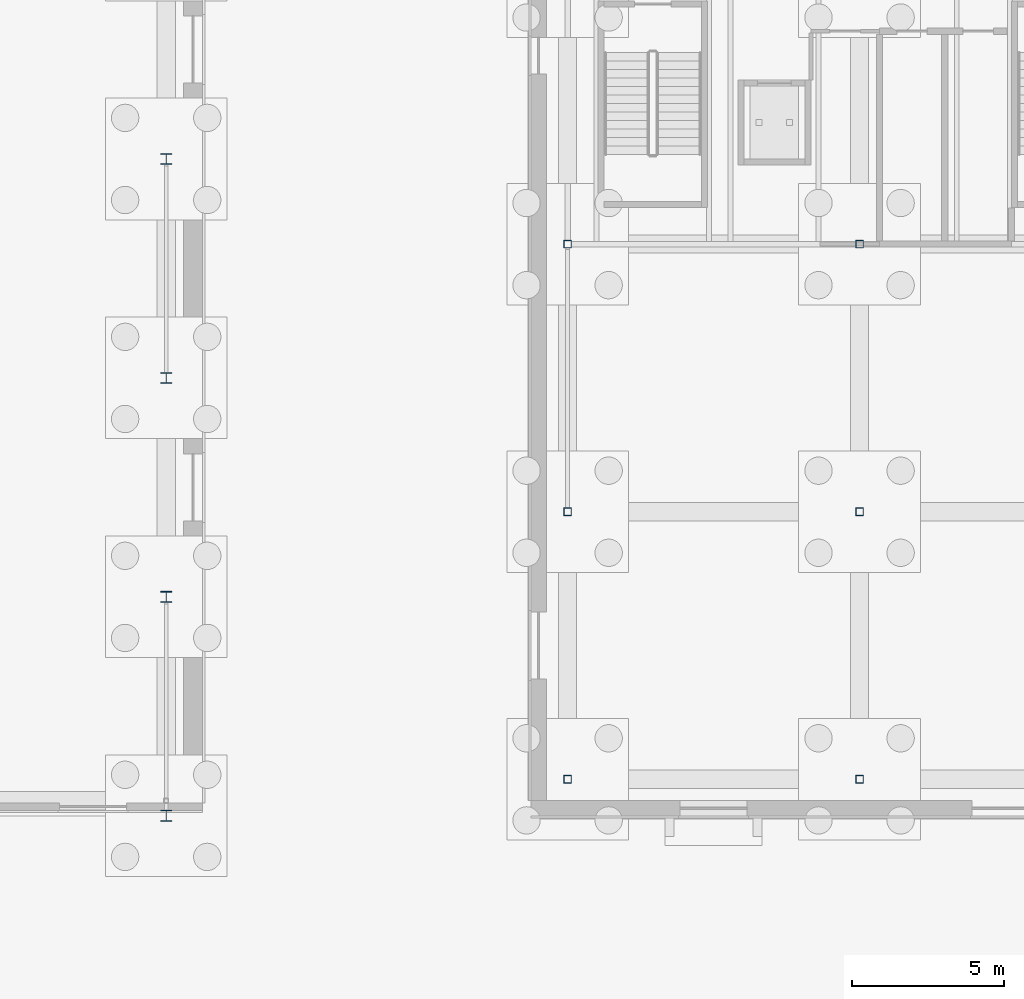
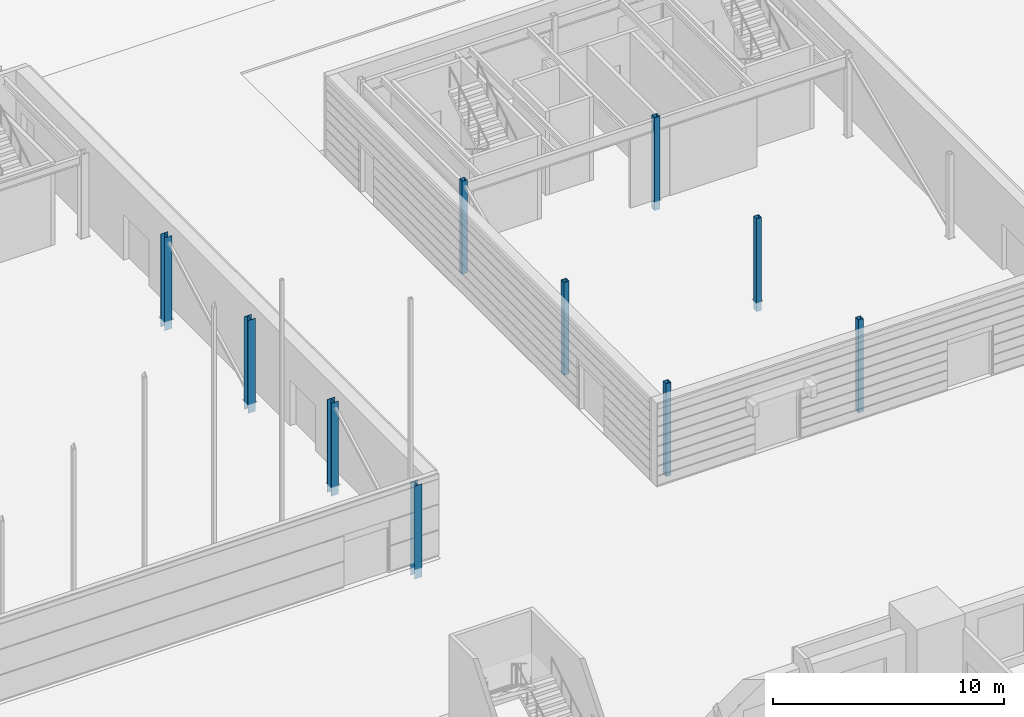
# One storey, part 17 of 139: 10 columns.
"""IFC4 building model written with IfcOpenShell, lengths in metres."""

import ifcopenshell
import ifcopenshell.guid

model = None  # the IFC model being written
_history = None  # IfcOwnerHistory: only IFC2X3 demands one
_inside = {}  # id of a spatial element -> (the spatial element, [elements in it])
_under = {}  # id of a project, library or spatial element -> (it, [spatial elements below it])
_declared = {}  # id of a project -> (the project, [libraries it declares])
_typed = {}  # id of a type object -> (the type object, [elements of that type])
_made_of = {}  # id of a material, layer set ... -> (it, [elements and type objects made of it])


def new_model(schema):
    """Start an empty IFC model of exactly this schema.

    Asked for "IFC4X3", IfcOpenShell would pick the latest addendum, in which some entities
    have other attributes; the version numbers below select the first issue.
    IFC2X3 requires an IfcOwnerHistory on every rooted entity: one is made here for all.
    """
    global model, _history
    if schema == "IFC4X3":
        model = ifcopenshell.file(schema_version=(4, 3, 0, 0))
    else:
        model = ifcopenshell.file(schema=schema)
    _inside.clear()
    _under.clear()
    _declared.clear()
    _typed.clear()
    _made_of.clear()
    _history = None
    if model.schema == "IFC2X3":
        org = make("IfcOrganization", Name="unknown")
        user = make(
            "IfcPersonAndOrganization",
            ThePerson=make("IfcPerson", FamilyName="unknown"),
            TheOrganization=org,
        )
        app = make(
            "IfcApplication",
            ApplicationDeveloper=org,
            Version="unknown",
            ApplicationFullName="unknown",
            ApplicationIdentifier="unknown",
        )
        _history = make(
            "IfcOwnerHistory",
            OwningUser=user,
            OwningApplication=app,
            ChangeAction="ADDED",
            CreationDate=0,
        )
    return model


def make(cls, **values):
    """One entity of the class cls with the attributes given. An attribute that is None is left unset."""
    return model.create_entity(
        cls, **{name: value for name, value in values.items() if value is not None}
    )


def rooted(cls, **values):
    """An entity with a GlobalId (a new one), such as an element, a storey or a relation."""
    return make(cls, GlobalId=ifcopenshell.guid.new(), OwnerHistory=_history, **values)


def si_unit(unit_type, name, prefix=None):
    """IfcSIUnit, for example si_unit("LENGTHUNIT", "METRE", prefix="MILLI")."""
    return make("IfcSIUnit", UnitType=unit_type, Prefix=prefix, Name=name)


def assignment(units):
    """IfcUnitAssignment: the units of a project."""
    return None if units is None else make("IfcUnitAssignment", Units=units)


def point(xyz):
    """IfcCartesianPoint."""
    return None if xyz is None else make("IfcCartesianPoint", Coordinates=xyz)


def direction(xyz):
    """IfcDirection."""
    return None if xyz is None else make("IfcDirection", DirectionRatios=xyz)


def frame(location, z_axis=None, x_axis=None):
    """IfcAxis2Placement3D, a coordinate frame: its origin and axes. An axis left out is left unset."""
    return make(
        "IfcAxis2Placement3D",
        Location=point(location),
        Axis=direction(z_axis),
        RefDirection=direction(x_axis),
    )


def frame_2d(location, x_axis=None):
    """IfcAxis2Placement2D, a coordinate frame in the plane: its origin and x axis."""
    return make(
        "IfcAxis2Placement2D", Location=point(location), RefDirection=direction(x_axis)
    )


def origin():
    """The frame at (0, 0, 0) with its axes left unset."""
    return frame((0.0, 0.0, 0.0))


def origin_2d():
    """The frame at (0, 0) in the plane with its x axis left unset."""
    return frame_2d((0.0, 0.0))


def place(relative_to, where):
    """IfcLocalPlacement: puts the frame where relative to a parent placement (None: the world)."""
    return make(
        "IfcLocalPlacement", PlacementRelTo=relative_to, RelativePlacement=where
    )


def context(
    kind, dimensions, precision=None, world=None, true_north=None, identifier=None
):
    """IfcGeometricRepresentationContext, for example the 3D "Model" context."""
    return make(
        "IfcGeometricRepresentationContext",
        ContextIdentifier=identifier,
        ContextType=kind,
        CoordinateSpaceDimension=dimensions,
        Precision=precision,
        WorldCoordinateSystem=world,
        TrueNorth=true_north,
    )


def subcontext(parent, identifier, kind, view, scale=None):
    """IfcGeometricRepresentationSubContext, for example "Body" below "Model"."""
    return make(
        "IfcGeometricRepresentationSubContext",
        ContextIdentifier=identifier,
        ContextType=kind,
        ParentContext=parent,
        TargetScale=scale,
        TargetView=view,
    )


def project(units=None, contexts=None):
    """IfcProject with its units and contexts."""
    return rooted(
        "IfcProject",
        Name="project",
        RepresentationContexts=contexts,
        UnitsInContext=assignment(units),
    )


def spatial(cls, under=None, at=None, **own):
    """A site, building, storey or space (cls), placed at a placement, below another one or the project."""
    s = rooted(cls, ObjectPlacement=at, **own)
    if under is not None:
        _under.setdefault(under.id(), (under, []))[1].append(s)
    return s


def profile(cls, at=None, kind="AREA", **sizes):
    """A parametric profile (cls). Its sizes go by their IFC names, for example OverallWidth=200.0."""
    return make(cls, ProfileType=kind, Position=at, **sizes)


def hollow_rectangle(**sizes):
    """IfcRectangleHollowProfileDef."""
    return profile("IfcRectangleHollowProfileDef", **sizes)


def i_section(**sizes):
    """IfcIShapeProfileDef."""
    return profile("IfcIShapeProfileDef", **sizes)


def extrude(swept, where, along, depth):
    """IfcExtrudedAreaSolid: the profile swept, set in the frame where, extruded along a direction by depth."""
    return make(
        "IfcExtrudedAreaSolid",
        SweptArea=swept,
        Position=where,
        ExtrudedDirection=direction(along),
        Depth=depth,
    )


def shape(context_of_items, identifier, shape_type, items):
    """IfcShapeRepresentation: the items that make up one representation, for example the "Body"."""
    return make(
        "IfcShapeRepresentation",
        ContextOfItems=context_of_items,
        RepresentationIdentifier=identifier,
        RepresentationType=shape_type,
        Items=items,
    )


def material(Name=None, Category=None):
    """IfcMaterial."""
    return make("IfcMaterial", Name=Name, Category=Category)


def material_profile(
    of_material, cross_section, Name=None, Category=None, Priority=None
):
    """IfcMaterialProfile: a cross section and its material."""
    return make(
        "IfcMaterialProfile",
        Name=Name,
        Material=of_material,
        Profile=cross_section,
        Priority=Priority,
        Category=Category,
    )


def profile_set(profiles, Name=None, composite=None):
    """IfcMaterialProfileSet."""
    return make(
        "IfcMaterialProfileSet",
        Name=Name,
        MaterialProfiles=profiles,
        CompositeProfile=composite,
    )


def made_of(thing, what):
    """Note that an element or type object is made of a material, layer set ...; save() writes the relation."""
    if what is not None:
        _made_of.setdefault(what.id(), (what, []))[1].append(thing)
    return thing


def type_object(cls, material=None, **own):
    """A type object (cls), such as IfcWallType, which elements share."""
    return made_of(rooted(cls, **own), material)


def element(
    cls,
    number,
    at=None,
    inside=None,
    cuts=None,
    type_object=None,
    material=None,
    context=None,
    identifier="Body",
    shape_type=None,
    held_by="IfcProductDefinitionShape",
    body=None,
    shapes=None,
    **own,
):
    """One element of the class cls, such as IfcWall. Its Tag is "e" and its number.

    at: its placement. inside: the storey or other place that contains it. cuts: it is an
    opening in that element (IfcRelVoidsElement). A single representation is given by context,
    identifier, shape_type and body (its items); several are given by shapes. held_by: the class
    of the entity that holds the representations. save() writes the other relations.
    """
    e = rooted(cls, Tag="e%d" % number, ObjectPlacement=at, **own)
    if body is not None:
        shapes = [shape(context, identifier, shape_type, body)]
    if shapes is not None:
        e.Representation = make(held_by, Representations=shapes)
    if inside is not None:
        _inside.setdefault(inside.id(), (inside, []))[1].append(e)
    if cuts is not None:
        rooted(
            "IfcRelVoidsElement", RelatingBuildingElement=cuts, RelatedOpeningElement=e
        )
    if type_object is not None:
        _typed.setdefault(type_object.id(), (type_object, []))[1].append(e)
    return made_of(e, material)


def aggregate(whole, parts):
    """IfcRelAggregates: a whole, such as a stair, and the parts it consists of."""
    return rooted("IfcRelAggregates", RelatingObject=whole, RelatedObjects=parts)


def save(model, path):
    """Write the relations noted so far, then the file.

    IfcRelAggregates (storeys below a building ...), IfcRelContainedInSpatialStructure (elements
    in a storey), IfcRelDefinesByType, IfcRelAssociatesMaterial and IfcRelDeclares: one each for
    every whole, place, type object, material and project.
    """
    for whole, parts in _under.values():
        aggregate(whole, parts)
    for where, things in _inside.values():
        rooted(
            "IfcRelContainedInSpatialStructure",
            RelatedElements=things,
            RelatingStructure=where,
        )
    for kind, things in _typed.values():
        rooted("IfcRelDefinesByType", RelatedObjects=things, RelatingType=kind)
    for what, things in _made_of.values():
        rooted("IfcRelAssociatesMaterial", RelatedObjects=things, RelatingMaterial=what)
    for by, libraries in _declared.values():
        rooted("IfcRelDeclares", RelatingContext=by, RelatedDefinitions=libraries)
    model.write(path)


model = new_model("IFC4")

# Units and contexts
model_context = context("Model", 3, precision=1e-05, world=origin(), true_north=direction((0.0, 1.0)))
body_context = subcontext(model_context, "Body", "Model", "MODEL_VIEW")
ifc_project = project(units=[si_unit("LENGTHUNIT", "METRE"), si_unit("AREAUNIT", "SQUARE_METRE"), si_unit("VOLUMEUNIT", "CUBIC_METRE"), si_unit("PLANEANGLEUNIT", "RADIAN"), si_unit("MASSUNIT", "GRAM", prefix="KILO")], contexts=[model_context])

# Site, building, storey
site_placement = place(None, origin())
site = spatial("IfcSite", under=ifc_project, at=site_placement, CompositionType="ELEMENT")
building_placement = place(site_placement, origin())
building = spatial("IfcBuilding", under=site, at=building_placement, Name="Verrick Yard Athletic Hall", CompositionType="ELEMENT")
storey_placement = place(building_placement, origin())
storey = spatial("IfcBuildingStorey", under=building, at=storey_placement, Name="L00", CompositionType="ELEMENT", Elevation=0.0)

# Columns
ifc_material_1 = material(Name="Structural steel HSS Class C 350W (CSA G40.20/G40.21)", Category="steel")
ifc_material_profile_1 = material_profile(ifc_material_1, hollow_rectangle(XDim=0.25390625, YDim=0.25390625, WallThickness=0.0126953125, at=origin_2d()), Name="HSS254x254x13")
ifc_profile_set_1 = profile_set([ifc_material_profile_1], Name="Structural steel HSS Class C 350W (CSA G40.20/G40.21)")
column_type_1 = type_object("IfcColumnType", Name="HB column HSS254x254x13", PredefinedType="COLUMN", material=ifc_profile_set_1)
for number, where, z_axis, x_axis, name in (
    (1, (89.199951171875, 73.199951171875, -0.5), (0.0, 0.0, 1.0), (1.0, 0.0, 0.0), "HB-C-CH11-L00"),
    (2, (89.199951171875, 82.0, -0.5), (0.0, 0.0, 1.0), (1.0, 0.0, 0.0), "HB-C-CH12-L00"),
    (3, (89.199951171875, 90.800048828125, -0.5), (0.0, 0.0, 1.0), (1.0, 0.0, 0.0), "HB-C-CH13-L00"),
    (4, (98.800048828125, 73.199951171875, -0.5), (0.0, 0.0, 1.0), (1.0, 0.0, 0.0), "HB-C-CH21-L00"),
    (5, (98.800048828125, 82.0, -0.5), (0.0, 0.0, 1.0), (1.0, 0.0, 0.0), "HB-C-CH22-L00"),
    (6, (98.800048828125, 90.800048828125, -0.5), (0.0, 0.0, 1.0), (1.0, 0.0, 0.0), "HB-C-CH23-L00"),
):
    element("IfcColumn", number, at=place(storey_placement, frame(where, z_axis=z_axis, x_axis=x_axis)), inside=storey, type_object=column_type_1, Name=name, PredefinedType="COLUMN", context=body_context, shape_type="SweptSolid", body=[
        extrude(hollow_rectangle(XDim=0.25390625, YDim=0.25390625, WallThickness=0.0126953125, at=origin_2d()), origin(), (0.0, 0.0, 1.0), 4.89990234375),
    ])
ifc_material_2 = material(Name="Structural steel 350W (CSA G40.21)", Category="steel")
ifc_material_profile_2 = material_profile(ifc_material_2, i_section(OverallWidth=0.368896484375, OverallDepth=0.35595703125, WebThickness=0.01123046875, FlangeThickness=0.01806640625, at=origin_2d()), Name="W360x134")
ifc_profile_set_2 = profile_set([ifc_material_profile_2], Name="Structural steel 350W (CSA G40.21)")
column_type_2 = type_object("IfcColumnType", Name="HB column W360x134", PredefinedType="COLUMN", material=ifc_profile_set_2)
for number, where, z_axis, x_axis, name in (
    (7, (76.0, 72.0, -0.5), (0.0, 0.0, 1.0), (1.0, 0.0, 0.0), "HB-C-HBE1-L00"),
    (8, (76.0, 79.199951171875, -0.5), (0.0, 0.0, 1.0), (1.0, 0.0, 0.0), "HB-C-HBE2-L00"),
    (9, (76.0, 86.39990234375, -0.5), (0.0, 0.0, 1.0), (1.0, 0.0, 0.0), "HB-C-HBE3-L00"),
    (10, (76.0, 93.60009765625, -0.5), (0.0, 0.0, 1.0), (1.0, 0.0, 0.0), "HB-C-HBE4-L00"),
):
    element("IfcColumn", number, at=place(storey_placement, frame(where, z_axis=z_axis, x_axis=x_axis)), inside=storey, type_object=column_type_2, Name=name, PredefinedType="COLUMN", context=body_context, shape_type="SweptSolid", body=[
        extrude(i_section(OverallWidth=0.368896484375, OverallDepth=0.35595703125, WebThickness=0.01123046875, FlangeThickness=0.01806640625, at=origin_2d()), origin(), (0.0, 0.0, 1.0), 4.89990234375),
    ])

save(model, "model.ifc")
